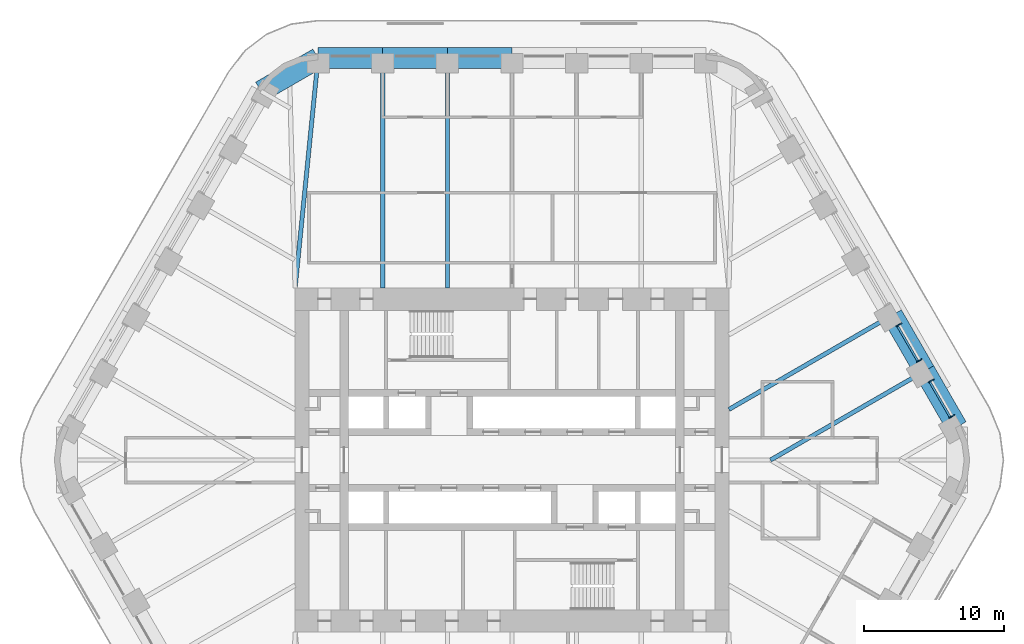
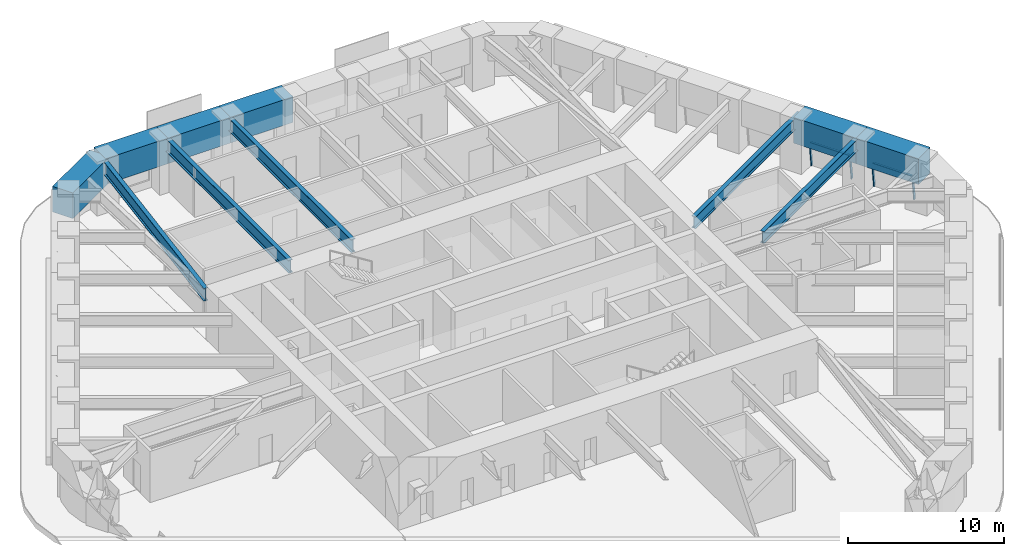
# One storey, part 9 of 20: 11 beams, 6 members, 2 elements without a shape of their own.
"""IFC4 building model written with IfcOpenShell, lengths in metres."""

from ifc_helpers import new_model, si_unit, direction, frame, origin, origin_2d, place, context, subcontext, project, spatial, rectangle, i_section, extrude, material, material_profile, profile_set, type_object, element, aggregate, save


model = new_model("IFC4")

# Units and contexts
model_context = context("Model", 3, precision=1e-05, world=origin(), true_north=direction((0.0, 1.0)))
body_context = subcontext(model_context, "Body", "Model", "MODEL_VIEW")
ifc_project = project(units=[si_unit("LENGTHUNIT", "METRE"), si_unit("AREAUNIT", "SQUARE_METRE"), si_unit("VOLUMEUNIT", "CUBIC_METRE"), si_unit("PLANEANGLEUNIT", "RADIAN"), si_unit("MASSUNIT", "GRAM", prefix="KILO")], contexts=[model_context])

# Site, building, storey
site_placement = place(None, origin())
site = spatial("IfcSite", under=ifc_project, at=site_placement, CompositionType="ELEMENT")
building_placement = place(site_placement, origin())
building = spatial("IfcBuilding", under=site, at=building_placement, Name="Tarfa Lantern Tower", CompositionType="ELEMENT")
storey_placement = place(building_placement, frame((0.0, 0.0, 228.10009765625)))
storey = spatial("IfcBuildingStorey", under=building, at=storey_placement, Name="L51", CompositionType="ELEMENT", Elevation=228.10009765625)

# Curtain wall, members
ifc_material_1 = material(Name="Aluminium framed curtain wall", Category="aluminium")
curtain_wall_type = type_object("IfcCurtainWallType", Name="CW3 CANTED GLAZING HIGH ZONE 2000", PredefinedType="USERDEFINED", material=ifc_material_1)
curtain_wall_1_placement = place(storey_placement, origin())
curtain_wall_1 = element("IfcCurtainWall", 1, at=curtain_wall_1_placement, inside=storey, type_object=curtain_wall_type, Name="CW3 NE L51", ObjectType="CURTAIN WALL", PredefinedType="USERDEFINED")
ifc_material_2 = material(Name="Aluminium mullion", Category="aluminium")
ifc_material_profile_1 = material_profile(ifc_material_2, rectangle(XDim=0.06494140625, YDim=0.199951171875, at=origin_2d()), Name="AL MULLION 65x200")
ifc_profile_set_1 = profile_set([ifc_material_profile_1], Name="Aluminium mullion")
member_type_1 = type_object("IfcMemberType", Name="CWM1 MULLION 65x200", PredefinedType="MULLION", material=ifc_profile_set_1)
member_1_placement = place(storey_placement, frame((31.5400390625, 3.1708984375, 0.0), z_axis=(-0.107439978116, -0.062017213975, 0.992275423596), x_axis=(0.499919672301, -0.866071776036, 0.0)))
member_1 = element("IfcMember", 2, at=member_1_placement, type_object=member_type_1, Name="CW3 mullion 1", PredefinedType="MULLION", context=body_context, shape_type="SweptSolid", body=[
    extrude(rectangle(XDim=0.06494140625, YDim=0.199951171875, at=origin_2d()), origin(), (0.0, 0.0, 1.0), 2.015625),
])
member_2_placement = place(storey_placement, frame((30.063232421875, 5.72900390625, 0.0), z_axis=(-0.107439978116, -0.062017213975, 0.992275423596), x_axis=(0.499919672301, -0.866071776036, 0.0)))
member_2 = element("IfcMember", 3, at=member_2_placement, type_object=member_type_1, Name="CW3 mullion 2", PredefinedType="MULLION", context=body_context, shape_type="SweptSolid", body=[
    extrude(rectangle(XDim=0.06494140625, YDim=0.199951171875, at=origin_2d()), origin(), (0.0, 0.0, 1.0), 2.015625),
])

curtain_wall_2_placement = place(storey_placement, origin())
curtain_wall_2 = element("IfcCurtainWall", 4, at=curtain_wall_2_placement, inside=storey, type_object=curtain_wall_type, Name="CW3 NE L51", ObjectType="CURTAIN WALL", PredefinedType="USERDEFINED")
member_3_placement = place(storey_placement, frame((29.230712890625, 7.1708984375, 0.0), z_axis=(-0.107439978116, -0.062017213975, 0.992275423596), x_axis=(0.499919672301, -0.866071776036, 0.0)))
member_3 = element("IfcMember", 5, at=member_3_placement, type_object=member_type_1, Name="CW3 mullion 1", PredefinedType="MULLION", context=body_context, shape_type="SweptSolid", body=[
    extrude(rectangle(XDim=0.06494140625, YDim=0.199951171875, at=origin_2d()), origin(), (0.0, 0.0, 1.0), 2.015625),
])
member_4_placement = place(storey_placement, frame((27.75390625, 9.72900390625, 0.0), z_axis=(-0.107439978116, -0.062017213975, 0.992275423596), x_axis=(0.499919672301, -0.866071776036, 0.0)))
member_4 = element("IfcMember", 6, at=member_4_placement, type_object=member_type_1, Name="CW3 mullion 2", PredefinedType="MULLION", context=body_context, shape_type="SweptSolid", body=[
    extrude(rectangle(XDim=0.06494140625, YDim=0.199951171875, at=origin_2d()), origin(), (0.0, 0.0, 1.0), 2.015625),
])

# Member
ifc_material_3 = material(Name="Aluminium transom", Category="aluminium")
ifc_material_profile_2 = material_profile(ifc_material_3, rectangle(XDim=0.14990234375, YDim=0.06494140625, at=origin_2d()), Name="AL TRANSOM 150x65")
ifc_profile_set_2 = profile_set([ifc_material_profile_2], Name="Aluminium transom")
member_type_2 = type_object("IfcMemberType", Name="CWT1 TRANSOM 150x65", PredefinedType="USERDEFINED", material=ifc_profile_set_2)
member_5_placement = place(storey_placement, frame((31.310791015625, 3.076171875, 1.96728515625), z_axis=(-0.499993141028, 0.866029363778, 0.0), x_axis=(-0.866029363778, -0.499993141028, 0.0)))
member_5 = element("IfcMember", 7, at=member_5_placement, type_object=member_type_2, Name="CW3 transom 1.2", ObjectType="TRANSOM", PredefinedType="USERDEFINED", context=body_context, shape_type="SweptSolid", body=[
    extrude(rectangle(XDim=0.14990234375, YDim=0.06494140625, at=origin_2d()), origin(), (0.0, 0.0, 1.0), 2.888671875),
])

aggregate(curtain_wall_1, [member_1, member_2, member_5])

member_6_placement = place(storey_placement, frame((29.00146484375, 7.076171875, 1.96728515625), z_axis=(-0.499993141028, 0.866029363778, 0.0), x_axis=(-0.866029363778, -0.499993141028, 0.0)))
member_6 = element("IfcMember", 8, at=member_6_placement, type_object=member_type_2, Name="CW3 transom 1.2", ObjectType="TRANSOM", PredefinedType="USERDEFINED", context=body_context, shape_type="SweptSolid", body=[
    extrude(rectangle(XDim=0.14990234375, YDim=0.06494140625, at=origin_2d()), origin(), (0.0, 0.0, 1.0), 2.888671875),
])

aggregate(curtain_wall_2, [member_3, member_4, member_6])

# Beams
ifc_material_4 = material(Name="Concrete C80/95", Category="concrete")
ifc_material_profile_3 = material_profile(ifc_material_4, rectangle(XDim=1.5, YDim=2.0, at=origin_2d()), Name="RC 1500x2000")
ifc_profile_set_3 = profile_set([ifc_material_profile_3], Name="Concrete C80/95")
beam_type_1 = type_object("IfcBeamType", Name="RB3 RC 1500x2000", PredefinedType="BEAM", material=ifc_profile_set_3)
beam_1_placement = place(storey_placement, frame((31.800537109375, 2.360107421875, 3.0), z_axis=(-0.500027479704, 0.866009537788, 0.0), x_axis=(-0.866009537788, -0.500027479704, 0.0)))
element("IfcBeam", 9, at=beam_1_placement, inside=storey, type_object=beam_type_1, Name="Edge beam NE0", PredefinedType="BEAM", context=body_context, shape_type="SweptSolid", body=[
    extrude(rectangle(XDim=1.5, YDim=2.0, at=origin_2d()), origin(), (0.0, 0.0, 1.0), 4.618896484375),
])
beam_2_placement = place(storey_placement, frame((29.490966796875, 6.360107421875, 3.0), z_axis=(-0.499987836815, 0.866032426089, 0.0), x_axis=(-0.866032426089, -0.499987836815, 0.0)))
element("IfcBeam", 10, at=beam_2_placement, inside=storey, type_object=beam_type_1, Name="Edge beam NE1", PredefinedType="BEAM", context=body_context, shape_type="SweptSolid", body=[
    extrude(rectangle(XDim=1.5, YDim=2.0, at=origin_2d()), origin(), (0.0, 0.0, 1.0), 4.61865234375),
])
beam_3_placement = place(storey_placement, frame((0.0, 28.719970703125, 3.0), z_axis=(-1.0, 0.0, 0.0), x_axis=(0.0, -1.0, 0.0)))
element("IfcBeam", 11, at=beam_3_placement, inside=storey, type_object=beam_type_1, Name="Edge beam N3", PredefinedType="BEAM", context=body_context, shape_type="SweptSolid", body=[
    extrude(rectangle(XDim=1.5, YDim=2.0, at=origin_2d()), origin(), (0.0, 0.0, 1.0), 4.618896484375),
])
beam_4_placement = place(storey_placement, frame((-4.618896484375, 28.719970703125, 3.0), z_axis=(-1.0, 0.0, 0.0), x_axis=(0.0, -1.0, 0.0)))
element("IfcBeam", 12, at=beam_4_placement, inside=storey, type_object=beam_type_1, Name="Edge beam N4", PredefinedType="BEAM", context=body_context, shape_type="SweptSolid", body=[
    extrude(rectangle(XDim=1.5, YDim=2.0, at=origin_2d()), origin(), (0.0, 0.0, 1.0), 4.61865234375),
])
beam_5_placement = place(storey_placement, frame((-9.237548828125, 28.719970703125, 3.0), z_axis=(-1.0, 0.0, 0.0), x_axis=(0.0, -1.0, 0.0)))
element("IfcBeam", 13, at=beam_5_placement, inside=storey, type_object=beam_type_1, Name="Edge beam N5", PredefinedType="BEAM", context=body_context, shape_type="SweptSolid", body=[
    extrude(rectangle(XDim=1.5, YDim=2.0, at=origin_2d()), origin(), (0.0, 0.0, 1.0), 4.618896484375),
])
beam_6_placement = place(storey_placement, frame((-13.8564453125, 28.719970703125, 3.0), z_axis=(-0.866038294681, -0.499977671647, 0.0), x_axis=(0.499977671647, -0.866038294681, 0.0)))
element("IfcBeam", 14, at=beam_6_placement, inside=storey, type_object=beam_type_1, Name="Edge beam N6", PredefinedType="BEAM", context=body_context, shape_type="SweptSolid", body=[
    extrude(rectangle(XDim=1.5, YDim=2.0, at=origin_2d()), origin(), (0.0, 0.0, 1.0), 4.719970703125),
])
ifc_material_5 = material(Name="Steel S460M", Category="steel")
ifc_material_profile_4 = material_profile(ifc_material_5, i_section(OverallWidth=0.302001953125, OverallDepth=1.008056640625, WebThickness=0.02099609375, FlangeThickness=0.0400390625, FilletRadius=0.030029296875, at=origin_2d()), Name="UB1016x305x349")
ifc_profile_set_4 = profile_set([ifc_material_profile_4], Name="Steel S460M")
beam_type_2 = type_object("IfcBeamType", Name="UB1016x305x349", PredefinedType="BEAM", material=ifc_profile_set_4)
for number, where, z_axis, x_axis, name in (
    (15, (-4.618896484375, 28.719970703125, 3.495849609375), (0.0, -1.0, 0.0), (1.0, 0.0, 0.0), "Floor beam N4"),
    (16, (-9.237548828125, 28.719970703125, 3.495849609375), (0.0, -1.0, 0.0), (1.0, 0.0, 0.0), "Floor beam N5"),
):
    element("IfcBeam", number, at=place(storey_placement, frame(where, z_axis=z_axis, x_axis=x_axis)), inside=storey, type_object=beam_type_2, Name=name, PredefinedType="BEAM", context=body_context, shape_type="SweptSolid", body=[
        extrude(i_section(OverallWidth=0.302001953125, OverallDepth=1.008056640625, WebThickness=0.02099609375, FlangeThickness=0.0400390625, FilletRadius=0.030029296875, at=origin_2d()), origin(), (0.0, 0.0, 1.0), 16.419921875),
    ])
beam_7_placement = place(storey_placement, frame((-13.8564453125, 28.719970703125, 3.495849609375), z_axis=(-0.099597466746, -0.995027810977, 0.0), x_axis=(0.995027810977, -0.099597466746, 0.0)))
element("IfcBeam", 17, at=beam_7_placement, inside=storey, type_object=beam_type_2, Name="Floor beam N6", PredefinedType="BEAM", context=body_context, shape_type="SweptSolid", body=[
    extrude(i_section(OverallWidth=0.302001953125, OverallDepth=1.008056640625, WebThickness=0.02099609375, FlangeThickness=0.0400390625, FilletRadius=0.030029296875, at=origin_2d()), origin(), (0.0, 0.0, 1.0), 16.501953125),
])
ifc_material_profile_5 = material_profile(ifc_material_5, i_section(OverallWidth=0.305419921875, OverallDepth=0.91845703125, WebThickness=0.017333984375, FlangeThickness=0.02783203125, FilletRadius=0.01904296875, at=origin_2d()), Name="UB914x305x253")
ifc_profile_set_5 = profile_set([ifc_material_profile_5], Name="Steel S460M")
beam_type_3 = type_object("IfcBeamType", Name="UB914x305x253", PredefinedType="BEAM", material=ifc_profile_set_5)
beam_8_placement = place(storey_placement, frame((29.490966796875, 6.360107421875, 3.540771484375), z_axis=(-0.866022258038, -0.500005448553, 0.0), x_axis=(0.500005448553, -0.866022258038, 0.0)))
element("IfcBeam", 18, at=beam_8_placement, inside=storey, type_object=beam_type_3, Name="Floor beam NE1", PredefinedType="BEAM", context=body_context, shape_type="SweptSolid", body=[
    extrude(i_section(OverallWidth=0.305419921875, OverallDepth=0.91845703125, WebThickness=0.017333984375, FlangeThickness=0.02783203125, FilletRadius=0.01904296875, at=origin_2d()), origin(), (0.0, 0.0, 1.0), 12.719970703125),
])
beam_9_placement = place(storey_placement, frame((27.181640625, 10.360107421875, 3.540771484375), z_axis=(-0.866018002818, -0.500012818631, 0.0), x_axis=(0.500012818631, -0.866018002818, 0.0)))
element("IfcBeam", 19, at=beam_9_placement, inside=storey, type_object=beam_type_3, Name="Floor beam NE2", PredefinedType="BEAM", context=body_context, shape_type="SweptSolid", body=[
    extrude(i_section(OverallWidth=0.305419921875, OverallDepth=0.91845703125, WebThickness=0.017333984375, FlangeThickness=0.02783203125, FilletRadius=0.01904296875, at=origin_2d()), origin(), (0.0, 0.0, 1.0), 13.489013671875),
])

save(model, "model.ifc")
